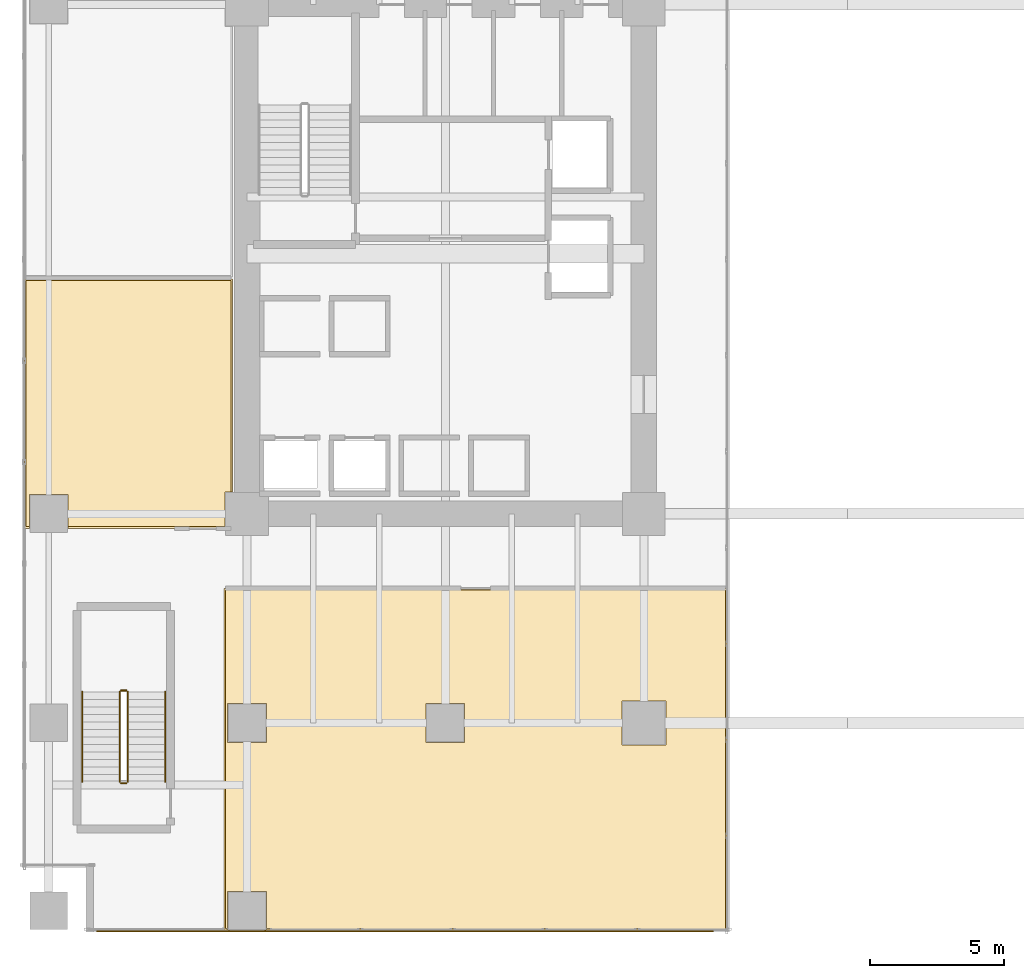
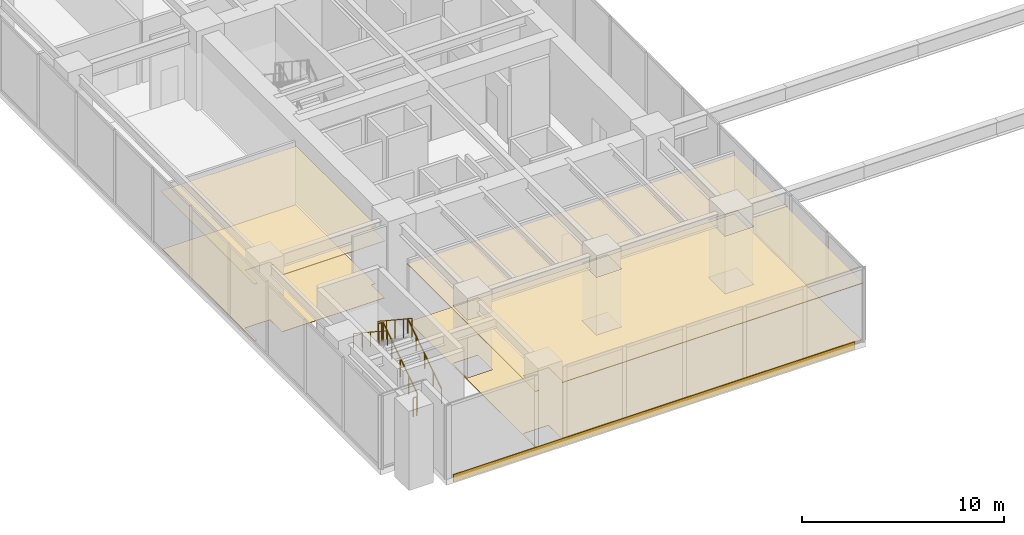
# One storey, part 35 of 39: 6 railings, 5 coverings.
"""IFC4 building model written with IfcOpenShell, lengths in metres."""

from ifc_helpers import new_model, si_unit, direction, frame, frame_2d, origin, origin_2d, place, context, subcontext, project, spatial, polyline, rectangle, circle, outline, extrude, source, transform, mapped, material, layer, layer_set, type_object, type_shapes, element, save


model = new_model("IFC4")

# Units and contexts
model_context = context("Model", 3, precision=1e-05, world=origin(), true_north=direction((0.0, 1.0)))
body_context = subcontext(model_context, "Body", "Model", "MODEL_VIEW")
ifc_project = project(units=[si_unit("LENGTHUNIT", "METRE"), si_unit("AREAUNIT", "SQUARE_METRE"), si_unit("VOLUMEUNIT", "CUBIC_METRE"), si_unit("PLANEANGLEUNIT", "RADIAN"), si_unit("MASSUNIT", "GRAM", prefix="KILO")], contexts=[model_context])

# Site, building, storey
site_placement = place(None, origin())
site = spatial("IfcSite", under=ifc_project, at=site_placement, CompositionType="ELEMENT")
building_placement = place(site_placement, origin())
building = spatial("IfcBuilding", under=site, at=building_placement, Name="Haelvirn Gate Laboratories", CompositionType="ELEMENT")
storey_placement = place(building_placement, frame((0.0, 0.0, 15.0)))
storey = spatial("IfcBuildingStorey", under=building, at=storey_placement, Name="L04", CompositionType="ELEMENT", Elevation=15.0)

# Coverings
ifc_material_1 = material(Name="Micro-perforated acoustic mineral-fibre laboratory ceiling")
ifc_layer_1 = layer(ifc_material_1, 0.0400390625, Name="COV-CEIL-ACT")
ifc_layer_set_1 = layer_set([ifc_layer_1], Name="Micro-perforated acoustic mineral-fibre laboratory ceiling")
covering_type_1 = type_object("IfcCoveringType", Name="COV-CEIL-ACT", PredefinedType="CEILING", material=ifc_layer_set_1)
covering_1_placement = place(storey_placement, frame((0.0, 0.0, 3.47998046875)))
element("IfcCovering", 1, at=covering_1_placement, inside=storey, type_object=covering_type_1, Name="L04 Laboratory Acoustic Ceiling CEIL-SP-L04-PODOUT-W-S", PredefinedType="CEILING", context=body_context, shape_type="SweptSolid", body=[
    extrude(outline(polyline([(-0.909912109375, 14.260009765625), (-0.909912109375, 23.56005859375), (6.860107421875, 23.56005859375), (6.860107421875, 15.6201171875), (6.580078125, 15.6201171875), (6.580078125, 14.260009765625), (0.719970703125, 14.260009765625), (0.719970703125, 15.52001953125), (-0.719970703125, 15.52001953125), (-0.719970703125, 14.260009765625), (-0.909912109375, 14.260009765625)])), origin(), (0.0, 0.0, 1.0), 0.0400390625),
])
covering_2_placement = place(storey_placement, frame((0.0, 0.0, 3.47998046875)))
element("IfcCovering", 2, at=covering_2_placement, inside=storey, type_object=covering_type_1, Name="L04 Laboratory Acoustic Ceiling CEIL-SP-L04-PODS-W-1", PredefinedType="CEILING", context=body_context, shape_type="SweptSolid", body=[
    extrude(outline(polyline([(6.5400390625, 12.02001953125), (25.31005859375, 12.02001953125), (25.31005859375, -0.739990234375), (8.06005859375, -0.739990234375), (8.06005859375, -0.719970703125), (8.1201171875, -0.719970703125), (8.1201171875, 0.719970703125), (6.679931640625, 0.719970703125), (6.679931640625, -0.719970703125), (6.739990234375, -0.719970703125), (6.739990234375, -0.739990234375), (6.5400390625, -0.739990234375), (6.5400390625, 12.02001953125)]), holes=[polyline([(15.52001953125, 6.280029296875), (15.52001953125, 7.719970703125), (14.080078125, 7.719970703125), (14.080078125, 6.280029296875), (15.52001953125, 6.280029296875)]), polyline([(21.3798828125, 6.179931640625), (23.02001953125, 6.179931640625), (23.02001953125, 7.820068359375), (21.3798828125, 7.820068359375), (21.3798828125, 6.179931640625)]), polyline([(6.679931640625, 7.719970703125), (6.679931640625, 6.280029296875), (8.1201171875, 6.280029296875), (8.1201171875, 7.719970703125), (6.679931640625, 7.719970703125)])]), origin(), (0.0, 0.0, 1.0), 0.0400390625),
])
ifc_material_2 = material(Name="Anodised bronze honeycomb aluminium spandrel cladding", Category="aluminium")
ifc_layer_2 = layer(ifc_material_2, 0.044921875, Name="COV-CLAD-BRZ")
ifc_layer_set_2 = layer_set([ifc_layer_2], Name="Anodised bronze honeycomb aluminium spandrel cladding")
covering_type_2 = type_object("IfcCoveringType", Name="COV-CLAD-BRZ", PredefinedType="CLADDING", material=ifc_layer_set_2)
covering_3_placement = place(storey_placement, frame((1.800048828125, -0.77001953125, -0.300048828125), z_axis=(0.0, 0.0, 1.0), x_axis=(1.0, 0.0, 0.0)))
element("IfcCovering", 3, at=covering_3_placement, inside=storey, type_object=covering_type_2, Name="L04 Bronze Slab-Edge Spandrel Cladding SW", PredefinedType="CLADDING", context=body_context, shape_type="SweptSolid", body=[
    extrude(rectangle(XDim=23.0, YDim=0.044921875, at=frame_2d((11.5, 0.0))), origin(), (0.0, 0.0, 1.0), 0.449951171875),
])
ifc_material_3 = material(Name="Seamless chemical-resistant epoxy laboratory flooring")
ifc_layer_3 = layer(ifc_material_3, 0.01806640625, Name="COV-FLR-RESIN")
ifc_layer_set_3 = layer_set([ifc_layer_3], Name="Seamless chemical-resistant epoxy laboratory flooring")
covering_type_3 = type_object("IfcCoveringType", Name="COV-FLR-RESIN", PredefinedType="FLOORING", material=ifc_layer_set_3)
covering_4_placement = place(storey_placement, origin())
element("IfcCovering", 4, at=covering_4_placement, inside=storey, type_object=covering_type_3, Name="L04 Seamless Laboratory Flooring FLR-SP-L04-PODOUT-W-S", PredefinedType="FLOORING", context=body_context, shape_type="SweptSolid", body=[
    extrude(outline(polyline([(6.800048828125, 15.6201171875), (6.580078125, 15.6201171875), (6.580078125, 14.320068359375), (0.719970703125, 14.320068359375), (0.719970703125, 15.52001953125), (-0.719970703125, 15.52001953125), (-0.719970703125, 14.320068359375), (-0.85009765625, 14.320068359375), (-0.85009765625, 23.5), (6.800048828125, 23.5), (6.800048828125, 15.6201171875)])), origin(), (0.0, 0.0, 1.0), 0.01806640625),
])
covering_5_placement = place(storey_placement, origin())
element("IfcCovering", 5, at=covering_5_placement, inside=storey, type_object=covering_type_3, Name="L04 Seamless Laboratory Flooring FLR-SP-L04-PODS-W-1", PredefinedType="FLOORING", context=body_context, shape_type="SweptSolid", body=[
    extrude(outline(polyline([(8.1201171875, 0.719970703125), (6.679931640625, 0.719970703125), (6.679931640625, -0.679931640625), (6.60009765625, -0.679931640625), (6.60009765625, 11.9599609375), (25.25, 11.9599609375), (25.25, -0.679931640625), (8.1201171875, -0.679931640625), (8.1201171875, 0.719970703125)]), holes=[polyline([(15.52001953125, 7.719970703125), (14.080078125, 7.719970703125), (14.080078125, 6.280029296875), (15.52001953125, 6.280029296875), (15.52001953125, 7.719970703125)]), polyline([(23.02001953125, 6.179931640625), (23.02001953125, 7.820068359375), (21.3798828125, 7.820068359375), (21.3798828125, 6.179931640625), (23.02001953125, 6.179931640625)]), polyline([(6.679931640625, 6.280029296875), (8.1201171875, 6.280029296875), (8.1201171875, 7.719970703125), (6.679931640625, 7.719970703125), (6.679931640625, 6.280029296875)])]), origin(), (0.0, 0.0, 1.0), 0.01806640625),
])

# Railings
ifc_material_4 = material(Name="Galvanised steel SM355 & stainless top rail", Category="steel")
railing_type_1 = type_object("IfcRailingType", Name="RL-GUARD-1150", PredefinedType="GUARDRAIL", material=ifc_material_4)
shared_shape_1 = source(origin(), body_context, "Body", "SweptSolid", [
    extrude(circle(Radius=0.02392578125, at=origin_2d()), frame((0.0, 0.0, 1.1259765625), z_axis=(-1.0, 0.0, 0.0), x_axis=(0.0, -1.0, 0.0)), (0.0, 0.0, 1.0), 0.199951171875),
    extrude(circle(Radius=0.02099609375, at=origin_2d()), origin(), (0.0, 0.0, 1.0), 1.101806640625),
    extrude(circle(Radius=0.02099609375, at=origin_2d()), frame((-0.199951171875, 0.0, 0.0)), (0.0, 0.0, 1.0), 1.101806640625),
])
for number, where, name in (
    (6, (2.89990234375, 8.2099609375, 2.39990234375), "L04 ST3 stair guard 2"),
    (7, (2.89990234375, 4.75, 0.0), "L04 ST3 stair guard 4"),
):
    element("IfcRailing", number, at=place(storey_placement, frame(where)), inside=storey, type_object=railing_type_1, Name=name, PredefinedType="GUARDRAIL", context=body_context, shape_type="MappedRepresentation", body=[
        mapped(shared_shape_1, transform((0.0, 0.0, 0.0), scale=1.0)),
    ])
shared_shape_2 = source(origin(), body_context, "Body", "SweptSolid", [
    extrude(circle(Radius=0.02392578125, at=origin_2d()), frame((0.0, 0.0, 1.1259765625), z_axis=(0.0, 0.834858096282, 0.550465220583), x_axis=(-1.0, 0.0, 0.0)), (0.0, 0.0, 1.0), 4.0244140625),
    extrude(circle(Radius=0.02099609375, at=origin_2d()), origin(), (0.0, 0.0, 1.0), 1.101806640625),
    extrude(circle(Radius=0.02099609375, at=origin_2d()), frame((0.0, 0.83984375, 0.5537109375)), (0.0, 0.0, 1.0), 1.101806640625),
    extrude(circle(Radius=0.02099609375, at=origin_2d()), frame((0.0, 1.679931640625, 1.107666015625)), (0.0, 0.0, 1.0), 1.101806640625),
    extrude(circle(Radius=0.02099609375, at=origin_2d()), frame((0.0, 2.52001953125, 1.66162109375)), (0.0, 0.0, 1.0), 1.101806640625),
    extrude(circle(Radius=0.02099609375, at=origin_2d()), frame((0.0, 3.35986328125, 2.21533203125)), (0.0, 0.0, 1.0), 1.101806640625),
])
railing_1_placement = place(storey_placement, frame((2.949951171875, 4.800048828125, 0.1845703125)))
element("IfcRailing", 8, at=railing_1_placement, inside=storey, type_object=railing_type_1, Name="L04 ST3 stair guard 1", PredefinedType="GUARDRAIL", context=body_context, shape_type="MappedRepresentation", body=[
    mapped(shared_shape_2, transform((0.0, 0.0, 0.0), scale=1.0)),
])
shared_shape_3 = source(origin(), body_context, "Body", "SweptSolid", [
    extrude(circle(Radius=0.02392578125, at=origin_2d()), frame((0.0, 0.0, 1.1259765625), z_axis=(0.0, -0.834858096282, 0.550465220583), x_axis=(1.0, 0.0, 0.0)), (0.0, 0.0, 1.0), 4.0244140625),
    extrude(circle(Radius=0.02099609375, at=origin_2d()), origin(), (0.0, 0.0, 1.0), 1.101806640625),
    extrude(circle(Radius=0.02099609375, at=origin_2d()), frame((0.0, -0.83984375, 0.5537109375)), (0.0, 0.0, 1.0), 1.101806640625),
    extrude(circle(Radius=0.02099609375, at=origin_2d()), frame((0.0, -1.679931640625, 1.107666015625)), (0.0, 0.0, 1.0), 1.101806640625),
    extrude(circle(Radius=0.02099609375, at=origin_2d()), frame((0.0, -2.52001953125, 1.66162109375)), (0.0, 0.0, 1.0), 1.101806640625),
    extrude(circle(Radius=0.02099609375, at=origin_2d()), frame((0.0, -3.35986328125, 2.21533203125)), (0.0, 0.0, 1.0), 1.101806640625),
])
type_shapes(railing_type_1, [shared_shape_1, shared_shape_2, shared_shape_3])
railing_2_placement = place(storey_placement, frame((2.64990234375, 8.159912109375, 2.584716796875)))
element("IfcRailing", 9, at=railing_2_placement, inside=storey, type_object=railing_type_1, Name="L04 ST3 stair guard 3", PredefinedType="GUARDRAIL", context=body_context, shape_type="MappedRepresentation", body=[
    mapped(shared_shape_3, transform((0.0, 0.0, 0.0), scale=1.0)),
])
ifc_material_5 = material(Name="Brushed stainless steel 316L", Category="steel")
railing_type_2 = type_object("IfcRailingType", Name="RL-HAND-920", PredefinedType="HANDRAIL", material=ifc_material_5)
shared_shape_4 = source(origin(), body_context, "Body", "SweptSolid", [
    extrude(circle(Radius=0.02392578125, at=origin_2d()), frame((0.0, 0.0, 0.8759765625), z_axis=(0.0, 0.834858096282, 0.550465220583), x_axis=(-1.0, 0.0, 0.0)), (0.0, 0.0, 1.0), 4.0244140625),
    extrude(circle(Radius=0.02099609375, at=origin_2d()), origin(), (0.0, 0.0, 1.0), 0.851806640625),
    extrude(circle(Radius=0.02099609375, at=origin_2d()), frame((0.0, 0.83984375, 0.5537109375)), (0.0, 0.0, 1.0), 0.851806640625),
    extrude(circle(Radius=0.02099609375, at=origin_2d()), frame((0.0, 1.679931640625, 1.107666015625)), (0.0, 0.0, 1.0), 0.851806640625),
    extrude(circle(Radius=0.02099609375, at=origin_2d()), frame((0.0, 2.52001953125, 1.66162109375)), (0.0, 0.0, 1.0), 0.851806640625),
    extrude(circle(Radius=0.02099609375, at=origin_2d()), frame((0.0, 3.35986328125, 2.21533203125)), (0.0, 0.0, 1.0), 0.851806640625),
])
railing_3_placement = place(storey_placement, frame((4.35009765625, 4.800048828125, 0.1845703125)))
element("IfcRailing", 10, at=railing_3_placement, inside=storey, type_object=railing_type_2, Name="L04 ST3 stair handrail 1", PredefinedType="HANDRAIL", context=body_context, shape_type="MappedRepresentation", body=[
    mapped(shared_shape_4, transform((0.0, 0.0, 0.0), scale=1.0)),
])
shared_shape_5 = source(origin(), body_context, "Body", "SweptSolid", [
    extrude(circle(Radius=0.02392578125, at=origin_2d()), frame((0.0, 0.0, 0.8759765625), z_axis=(0.0, -0.834858096282, 0.550465220583), x_axis=(1.0, 0.0, 0.0)), (0.0, 0.0, 1.0), 4.0244140625),
    extrude(circle(Radius=0.02099609375, at=origin_2d()), origin(), (0.0, 0.0, 1.0), 0.851806640625),
    extrude(circle(Radius=0.02099609375, at=origin_2d()), frame((0.0, -0.83984375, 0.5537109375)), (0.0, 0.0, 1.0), 0.851806640625),
    extrude(circle(Radius=0.02099609375, at=origin_2d()), frame((0.0, -1.679931640625, 1.107666015625)), (0.0, 0.0, 1.0), 0.851806640625),
    extrude(circle(Radius=0.02099609375, at=origin_2d()), frame((0.0, -2.52001953125, 1.66162109375)), (0.0, 0.0, 1.0), 0.851806640625),
    extrude(circle(Radius=0.02099609375, at=origin_2d()), frame((0.0, -3.35986328125, 2.21533203125)), (0.0, 0.0, 1.0), 0.851806640625),
])
type_shapes(railing_type_2, [shared_shape_4, shared_shape_5])
railing_4_placement = place(storey_placement, frame((1.25, 8.159912109375, 2.584716796875)))
element("IfcRailing", 11, at=railing_4_placement, inside=storey, type_object=railing_type_2, Name="L04 ST3 stair handrail 2", PredefinedType="HANDRAIL", context=body_context, shape_type="MappedRepresentation", body=[
    mapped(shared_shape_5, transform((0.0, 0.0, 0.0), scale=1.0)),
])

save(model, "model.ifc")
